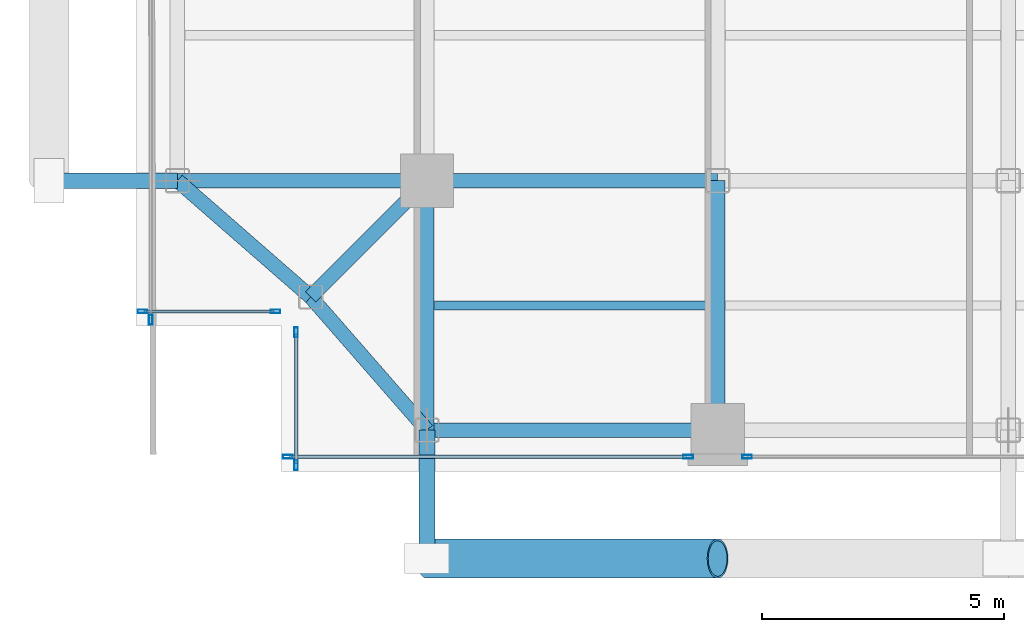
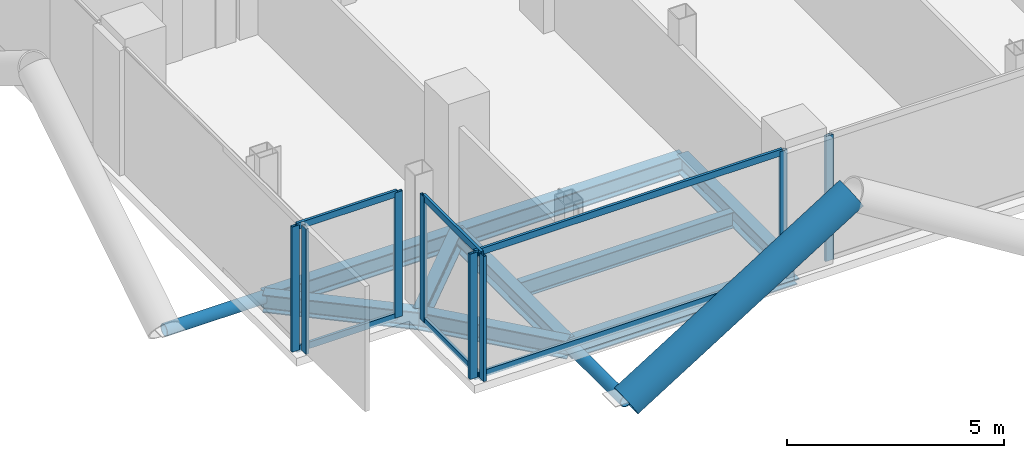
# One storey, part 2 of 28: 17 members, 9 beams, 5 elements without a shape of their own.
"""IFC4 building model written with IfcOpenShell, lengths in metres."""

from ifc_helpers import new_model, si_unit, direction, frame, origin, origin_2d, place, context, subcontext, project, spatial, hollow_rectangle, hollow_circle, i_section, extrude, material, layer, layer_set, material_profile, profile_set, type_object, element, aggregate, save


model = new_model("IFC4")

# Units and contexts
model_context = context("Model", 3, precision=1e-05, world=origin(), true_north=direction((0.0, 1.0)))
body_context = subcontext(model_context, "Body", "Model", "MODEL_VIEW")
ifc_project = project(units=[si_unit("LENGTHUNIT", "METRE"), si_unit("AREAUNIT", "SQUARE_METRE"), si_unit("VOLUMEUNIT", "CUBIC_METRE"), si_unit("PLANEANGLEUNIT", "RADIAN"), si_unit("MASSUNIT", "GRAM", prefix="KILO"), si_unit("THERMODYNAMICTEMPERATUREUNIT", "KELVIN"), si_unit("POWERUNIT", "WATT")], contexts=[model_context])

# Site, building, storey
site_placement = place(None, origin())
site = spatial("IfcSite", under=ifc_project, at=site_placement, CompositionType="ELEMENT")
building_placement = place(site_placement, origin())
building = spatial("IfcBuilding", under=site, at=building_placement, Name="Svarakhadi Broadcast Tower", CompositionType="ELEMENT")
storey_placement = place(building_placement, frame((0.0, 0.0, 103.35009765625)))
storey = spatial("IfcBuildingStorey", under=building, at=storey_placement, Name="L24", CompositionType="ELEMENT", Elevation=103.35009765625)

# Beam
ifc_material_1 = material(Name="Steel S355J2 (IS 2062 E350C)", Category="steel")
ifc_material_profile_1 = material_profile(ifc_material_1, i_section(OverallWidth=0.18994140625, OverallDepth=0.449951171875, WebThickness=0.009521484375, FlangeThickness=0.0146484375, FilletRadius=0.02099609375, at=origin_2d()), Name="NPB 450x190x78")
ifc_profile_set_1 = profile_set([ifc_material_profile_1], Name="Steel S355J2 (IS 2062 E350C)")
beam_type_1 = type_object("IfcBeamType", Name="Beam_NPB450", PredefinedType="BEAM", material=ifc_profile_set_1)
beam_1_placement = place(storey_placement, frame((6.159912109375, 3.425048828125, -0.4501953125), z_axis=(1.0, 0.0, 0.0), x_axis=(0.0, 1.0, 0.0)))
element("IfcBeam", 1, at=beam_1_placement, inside=storey, type_object=beam_type_1, Name="L24 Secondary Composite Beam SB006", PredefinedType="BEAM", context=body_context, shape_type="SweptSolid", body=[
    extrude(i_section(OverallWidth=0.18994140625, OverallDepth=0.449951171875, WebThickness=0.009521484375, FlangeThickness=0.0146484375, FilletRadius=0.02099609375, at=origin_2d()), origin(), (0.0, 0.0, 1.0), 5.68017578125),
])

# Curtain wall, members
ifc_material_2 = material(Name="Anodised Bronze Aluminium AA 6063-T6", Category="aluminium")
ifc_layer = layer(ifc_material_2, 0.199951171875)
ifc_layer_set = layer_set([ifc_layer], Name="Anodised Bronze Aluminium AA 6063-T6")
curtain_wall_type = type_object("IfcCurtainWallType", Name="CW_Sys_03", PredefinedType="NOTDEFINED", material=ifc_layer_set)
curtain_wall_1_placement = place(storey_placement, origin())
curtain_wall_1 = element("IfcCurtainWall", 2, at=curtain_wall_1_placement, inside=storey, type_object=curtain_wall_type, Name="L24 Unitised Facade Curtain Wall 01", PredefinedType="NOTDEFINED")
ifc_material_profile_2 = material_profile(ifc_material_2, hollow_rectangle(XDim=0.074951171875, YDim=0.199951171875, WallThickness=0.005615234375, at=origin_2d()), Name="ALU MULLION 200x75x6")
ifc_profile_set_2 = profile_set([ifc_material_profile_2], Name="Anodised Bronze Aluminium AA 6063-T6")
member_type_1 = type_object("IfcMemberType", Name="CW_Sys_03_Mul", PredefinedType="MULLION", material=ifc_profile_set_2)
member_1_placement = place(storey_placement, frame((2.87255859375, 3.300048828125, 0.0), z_axis=(0.0, 0.0, 1.0), x_axis=(0.0, -1.0, 0.0)))
member_1 = element("IfcMember", 3, at=member_1_placement, type_object=member_type_1, Name="CW-03 mullion 1", PredefinedType="MULLION", context=body_context, shape_type="SweptSolid", body=[
    extrude(hollow_rectangle(XDim=0.074951171875, YDim=0.199951171875, WallThickness=0.005615234375, at=origin_2d()), origin(), (0.0, 0.0, 1.0), 3.52490234375),
])
member_2_placement = place(storey_placement, frame((0.12744140625, 3.300048828125, 0.0), z_axis=(0.0, 0.0, 1.0), x_axis=(0.0, -1.0, 0.0)))
member_2 = element("IfcMember", 4, at=member_2_placement, type_object=member_type_1, Name="CW-03 mullion 2", PredefinedType="MULLION", context=body_context, shape_type="SweptSolid", body=[
    extrude(hollow_rectangle(XDim=0.074951171875, YDim=0.199951171875, WallThickness=0.005615234375, at=origin_2d()), origin(), (0.0, 0.0, 1.0), 3.52490234375),
])

# Curtain wall, member
curtain_wall_2_placement = place(storey_placement, origin())
curtain_wall_2 = element("IfcCurtainWall", 5, at=curtain_wall_2_placement, inside=storey, type_object=curtain_wall_type, Name="L24 West Curtain Wall 02 Bay 1", PredefinedType="NOTDEFINED")
member_3_placement = place(storey_placement, frame((0.300048828125, 3.12744140625, 0.0), z_axis=(0.0, 0.0, 1.0), x_axis=(-1.0, 0.0, 0.0)))
member_3 = element("IfcMember", 6, at=member_3_placement, type_object=member_type_1, Name="CW-03 mullion 1", PredefinedType="MULLION", context=body_context, shape_type="SweptSolid", body=[
    extrude(hollow_rectangle(XDim=0.074951171875, YDim=0.199951171875, WallThickness=0.005615234375, at=origin_2d()), origin(), (0.0, 0.0, 1.0), 3.52490234375),
])
aggregate(curtain_wall_2, [member_3])

curtain_wall_3_placement = place(storey_placement, origin())
curtain_wall_3 = element("IfcCurtainWall", 7, at=curtain_wall_3_placement, inside=storey, type_object=curtain_wall_type, Name="L24 South Curtain Wall 17 Bay 3", PredefinedType="NOTDEFINED")
member_4_placement = place(storey_placement, frame((12.607421875, 0.300048828125, 0.0), z_axis=(0.0, 0.0, 1.0), x_axis=(0.0, -1.0, 0.0)))
member_4 = element("IfcMember", 8, at=member_4_placement, type_object=member_type_1, Name="CW-03 mullion 2", PredefinedType="MULLION", context=body_context, shape_type="SweptSolid", body=[
    extrude(hollow_rectangle(XDim=0.074951171875, YDim=0.199951171875, WallThickness=0.005615234375, at=origin_2d()), origin(), (0.0, 0.0, 1.0), 3.52490234375),
])
aggregate(curtain_wall_3, [member_4])

# Curtain wall, members
curtain_wall_4_placement = place(storey_placement, origin())
curtain_wall_4 = element("IfcCurtainWall", 9, at=curtain_wall_4_placement, inside=storey, type_object=curtain_wall_type, Name="L24 South Curtain Wall 17 Bay 4", PredefinedType="NOTDEFINED")
member_5_placement = place(storey_placement, frame((11.392578125, 0.300048828125, 0.0), z_axis=(0.0, 0.0, 1.0), x_axis=(0.0, -1.0, 0.0)))
member_5 = element("IfcMember", 10, at=member_5_placement, type_object=member_type_1, Name="CW-03 mullion 1", PredefinedType="MULLION", context=body_context, shape_type="SweptSolid", body=[
    extrude(hollow_rectangle(XDim=0.074951171875, YDim=0.199951171875, WallThickness=0.005615234375, at=origin_2d()), origin(), (0.0, 0.0, 1.0), 3.52490234375),
])
member_6_placement = place(storey_placement, frame((3.12744140625, 0.300048828125, 0.0), z_axis=(0.0, 0.0, 1.0), x_axis=(0.0, -1.0, 0.0)))
member_6 = element("IfcMember", 11, at=member_6_placement, type_object=member_type_1, Name="CW-03 mullion 2", PredefinedType="MULLION", context=body_context, shape_type="SweptSolid", body=[
    extrude(hollow_rectangle(XDim=0.074951171875, YDim=0.199951171875, WallThickness=0.005615234375, at=origin_2d()), origin(), (0.0, 0.0, 1.0), 3.52490234375),
])

curtain_wall_5_placement = place(storey_placement, origin())
curtain_wall_5 = element("IfcCurtainWall", 12, at=curtain_wall_5_placement, inside=storey, type_object=curtain_wall_type, Name="L24 Unitised Facade Curtain Wall 18", PredefinedType="NOTDEFINED")
member_7_placement = place(storey_placement, frame((3.300048828125, 0.12744140625, 0.0), z_axis=(0.0, 0.0, 1.0), x_axis=(-1.0, 0.0, 0.0)))
member_7 = element("IfcMember", 13, at=member_7_placement, type_object=member_type_1, Name="CW-03 mullion 1", PredefinedType="MULLION", context=body_context, shape_type="SweptSolid", body=[
    extrude(hollow_rectangle(XDim=0.074951171875, YDim=0.199951171875, WallThickness=0.005615234375, at=origin_2d()), origin(), (0.0, 0.0, 1.0), 3.52490234375),
])
member_8_placement = place(storey_placement, frame((3.300048828125, 2.87255859375, 0.0), z_axis=(0.0, 0.0, 1.0), x_axis=(-1.0, 0.0, 0.0)))
member_8 = element("IfcMember", 14, at=member_8_placement, type_object=member_type_1, Name="CW-03 mullion 2", PredefinedType="MULLION", context=body_context, shape_type="SweptSolid", body=[
    extrude(hollow_rectangle(XDim=0.074951171875, YDim=0.199951171875, WallThickness=0.005615234375, at=origin_2d()), origin(), (0.0, 0.0, 1.0), 3.52490234375),
])

# Member
ifc_material_profile_3 = material_profile(ifc_material_2, hollow_rectangle(XDim=0.070068359375, YDim=0.18505859375, WallThickness=0.0048828125, at=origin_2d()), Name="ALU TRANSOM 185x70x5")
ifc_profile_set_3 = profile_set([ifc_material_profile_3], Name="Anodised Bronze Aluminium AA 6063-T6")
member_type_2 = type_object("IfcMemberType", Name="CW_Sys_03_Trn", PredefinedType="USERDEFINED", material=ifc_profile_set_3)
member_9_placement = place(storey_placement, frame((2.8349609375, 3.300048828125, 0.034912109375), z_axis=(-1.0, 0.0, 0.0), x_axis=(0.0, -1.0, 0.0)))
member_9 = element("IfcMember", 15, at=member_9_placement, type_object=member_type_2, Name="CW-03 transom 1.1", ObjectType="TRANSOM", PredefinedType="USERDEFINED", context=body_context, shape_type="SweptSolid", body=[
    extrude(hollow_rectangle(XDim=0.070068359375, YDim=0.18505859375, WallThickness=0.0048828125, at=origin_2d()), origin(), (0.0, 0.0, 1.0), 2.669921875),
])

member_10_placement = place(storey_placement, frame((2.8349609375, 3.300048828125, 3.489990234375), z_axis=(-1.0, 0.0, 0.0), x_axis=(0.0, -1.0, 0.0)))
member_10 = element("IfcMember", 16, at=member_10_placement, type_object=member_type_2, Name="CW-03 transom 1.2", ObjectType="TRANSOM", PredefinedType="USERDEFINED", context=body_context, shape_type="SweptSolid", body=[
    extrude(hollow_rectangle(XDim=0.070068359375, YDim=0.18505859375, WallThickness=0.0048828125, at=origin_2d()), origin(), (0.0, 0.0, 1.0), 2.669921875),
])

aggregate(curtain_wall_1, [member_1, member_2, member_9, member_10])

member_11_placement = place(storey_placement, frame((11.35498046875, 0.300048828125, 0.034912109375), z_axis=(-1.0, 0.0, 0.0), x_axis=(0.0, -1.0, 0.0)))
member_11 = element("IfcMember", 17, at=member_11_placement, type_object=member_type_2, Name="CW-03 transom 1.1", ObjectType="TRANSOM", PredefinedType="USERDEFINED", context=body_context, shape_type="SweptSolid", body=[
    extrude(hollow_rectangle(XDim=0.070068359375, YDim=0.18505859375, WallThickness=0.0048828125, at=origin_2d()), origin(), (0.0, 0.0, 1.0), 8.18994140625),
])

member_12_placement = place(storey_placement, frame((11.35498046875, 0.300048828125, 3.489990234375), z_axis=(-1.0, 0.0, 0.0), x_axis=(0.0, -1.0, 0.0)))
member_12 = element("IfcMember", 18, at=member_12_placement, type_object=member_type_2, Name="CW-03 transom 1.2", ObjectType="TRANSOM", PredefinedType="USERDEFINED", context=body_context, shape_type="SweptSolid", body=[
    extrude(hollow_rectangle(XDim=0.070068359375, YDim=0.18505859375, WallThickness=0.0048828125, at=origin_2d()), origin(), (0.0, 0.0, 1.0), 8.18994140625),
])

aggregate(curtain_wall_4, [member_5, member_6, member_11, member_12])

member_13_placement = place(storey_placement, frame((3.300048828125, 0.1650390625, 0.034912109375), z_axis=(0.0, 1.0, 0.0), x_axis=(-1.0, 0.0, 0.0)))
member_13 = element("IfcMember", 19, at=member_13_placement, type_object=member_type_2, Name="CW-03 transom 1.1", ObjectType="TRANSOM", PredefinedType="USERDEFINED", context=body_context, shape_type="SweptSolid", body=[
    extrude(hollow_rectangle(XDim=0.070068359375, YDim=0.18505859375, WallThickness=0.0048828125, at=origin_2d()), origin(), (0.0, 0.0, 1.0), 2.669921875),
])

member_14_placement = place(storey_placement, frame((3.300048828125, 0.1650390625, 3.489990234375), z_axis=(0.0, 1.0, 0.0), x_axis=(-1.0, 0.0, 0.0)))
member_14 = element("IfcMember", 20, at=member_14_placement, type_object=member_type_2, Name="CW-03 transom 1.2", ObjectType="TRANSOM", PredefinedType="USERDEFINED", context=body_context, shape_type="SweptSolid", body=[
    extrude(hollow_rectangle(XDim=0.070068359375, YDim=0.18505859375, WallThickness=0.0048828125, at=origin_2d()), origin(), (0.0, 0.0, 1.0), 2.669921875),
])

aggregate(curtain_wall_5, [member_7, member_8, member_13, member_14])

# Members
ifc_material_3 = material(Name="Steel S460ML (IS 2062 E450BR)", Category="steel")
ifc_material_profile_4 = material_profile(ifc_material_3, hollow_circle(Radius=0.406494140625, WallThickness=0.0400390625, at=origin_2d()), Name="CHS 813x40")
ifc_profile_set_4 = profile_set([ifc_material_profile_4], Name="Steel S460ML (IS 2062 E450BR)")
member_type_3 = type_object("IfcMemberType", Name="Exo_Brace_CHS813", PredefinedType="BRACE", material=ifc_profile_set_4)
member_15_placement = place(storey_placement, frame((6.0, -1.800048828125, -0.386962890625), z_axis=(0.847998304005, 0.0, 0.529998940003), x_axis=(0.0, 1.0, 0.0)))
element("IfcMember", 21, at=member_15_placement, inside=storey, type_object=member_type_3, Name="L24 Exposed Bronze Exoskeleton Diagonal S01", PredefinedType="BRACE", context=body_context, shape_type="SweptSolid", body=[
    extrude(hollow_circle(Radius=0.406494140625, WallThickness=0.0400390625, at=origin_2d()), origin(), (0.0, 0.0, 1.0), 7.075439453125),
])
ifc_material_profile_5 = material_profile(ifc_material_3, hollow_circle(Radius=0.161865234375, WallThickness=0.01611328125, at=origin_2d()), Name="CHS 323.9x16")
ifc_profile_set_5 = profile_set([ifc_material_profile_5], Name="Steel S460ML (IS 2062 E450BR)")
member_type_4 = type_object("IfcMemberType", Name="Exo_Radial_Strut_Z2", PredefinedType="STRUT", material=ifc_profile_set_5)
for number, where, z_axis, x_axis, name in (
    (22, (6.0, -1.800048828125, -0.386962890625), (0.0, 1.0, 0.0), (-1.0, 0.0, 0.0), "L24 Exoskeleton Radial Tie Strut S01"),
    (23, (-1.800048828125, 6.0, -0.386962890625), (1.0, 0.0, 0.0), (0.0, 1.0, 0.0), "L24 Exoskeleton Radial Tie Strut W05"),
):
    element("IfcMember", number, at=place(storey_placement, frame(where, z_axis=z_axis, x_axis=x_axis)), inside=storey, type_object=member_type_4, Name=name, PredefinedType="STRUT", context=body_context, shape_type="SweptSolid", body=[
        extrude(hollow_circle(Radius=0.161865234375, WallThickness=0.01611328125, at=origin_2d()), origin(), (0.0, 0.0, 1.0), 2.650146484375),
    ])

# Beams
ifc_material_profile_6 = material_profile(ifc_material_1, i_section(OverallWidth=0.300048828125, OverallDepth=0.5, WebThickness=0.014404296875, FlangeThickness=0.028076171875, FilletRadius=0.027099609375, at=origin_2d()), Name="WPB 500x300x187")
ifc_profile_set_6 = profile_set([ifc_material_profile_6], Name="Steel S355J2 (IS 2062 E350C)")
beam_type_2 = type_object("IfcBeamType", Name="Girder_WPB500", PredefinedType="USERDEFINED", material=ifc_profile_set_6)
beam_2_placement = place(storey_placement, frame((3.60009765625, 3.60009765625, -0.47509765625), z_axis=(0.707106781187, 0.707106781187, 0.0), x_axis=(-0.707106781187, 0.707106781187, 0.0)))
element("IfcBeam", 24, at=beam_2_placement, inside=storey, type_object=beam_type_2, Name="L24 Corner Tie Girder G001", ObjectType="GIRDER", PredefinedType="USERDEFINED", context=body_context, shape_type="SweptSolid", body=[
    extrude(i_section(OverallWidth=0.300048828125, OverallDepth=0.5, WebThickness=0.014404296875, FlangeThickness=0.028076171875, FilletRadius=0.027099609375, at=origin_2d()), origin(), (0.0, 0.0, 1.0), 3.39404296875),
])
for number, where, z_axis, x_axis, name in (
    (25, (3.60009765625, 3.60009765625, -0.47509765625), (-0.753437912176, 0.657519058655, 0.0), (-0.657519058655, -0.753437912176, 0.0), "L24 Corner Tie Girder G002"),
    (26, (3.60009765625, 3.60009765625, -0.47509765625), (0.657519058655, -0.753437912176, 0.0), (0.753437912176, 0.657519058655, 0.0), "L24 Corner Tie Girder G003"),
):
    element("IfcBeam", number, at=place(storey_placement, frame(where, z_axis=z_axis, x_axis=x_axis)), inside=storey, type_object=beam_type_2, Name=name, ObjectType="GIRDER", PredefinedType="USERDEFINED", context=body_context, shape_type="SweptSolid", body=[
        extrude(i_section(OverallWidth=0.300048828125, OverallDepth=0.5, WebThickness=0.014404296875, FlangeThickness=0.028076171875, FilletRadius=0.027099609375, at=origin_2d()), origin(), (0.0, 0.0, 1.0), 3.64990234375),
    ])
beam_3_placement = place(storey_placement, frame((6.0, 0.85009765625, -0.47509765625), z_axis=(1.0, 0.0, 0.0), x_axis=(0.0, 1.0, 0.0)))
element("IfcBeam", 27, at=beam_3_placement, inside=storey, type_object=beam_type_2, Name="L24 Primary E-W Girder G004", ObjectType="GIRDER", PredefinedType="USERDEFINED", context=body_context, shape_type="SweptSolid", body=[
    extrude(i_section(OverallWidth=0.300048828125, OverallDepth=0.5, WebThickness=0.014404296875, FlangeThickness=0.028076171875, FilletRadius=0.027099609375, at=origin_2d()), origin(), (0.0, 0.0, 1.0), 6.0),
])
beam_4_placement = place(storey_placement, frame((0.85009765625, 6.0, -0.47509765625), z_axis=(1.0, 0.0, 0.0), x_axis=(0.0, 1.0, 0.0)))
element("IfcBeam", 28, at=beam_4_placement, inside=storey, type_object=beam_type_2, Name="L24 Primary E-W Girder G010", ObjectType="GIRDER", PredefinedType="USERDEFINED", context=body_context, shape_type="SweptSolid", body=[
    extrude(i_section(OverallWidth=0.300048828125, OverallDepth=0.5, WebThickness=0.014404296875, FlangeThickness=0.028076171875, FilletRadius=0.027099609375, at=origin_2d()), origin(), (0.0, 0.0, 1.0), 5.14990234375),
])
beam_5_placement = place(storey_placement, frame((6.0, 6.0, -0.47509765625), z_axis=(1.0, 0.0, 0.0), x_axis=(0.0, 1.0, 0.0)))
element("IfcBeam", 29, at=beam_5_placement, inside=storey, type_object=beam_type_2, Name="L24 Primary E-W Girder G011", ObjectType="GIRDER", PredefinedType="USERDEFINED", context=body_context, shape_type="SweptSolid", body=[
    extrude(i_section(OverallWidth=0.300048828125, OverallDepth=0.5, WebThickness=0.014404296875, FlangeThickness=0.028076171875, FilletRadius=0.027099609375, at=origin_2d()), origin(), (0.0, 0.0, 1.0), 6.0),
])
for number, where, z_axis, x_axis, name in (
    (30, (6.0, 0.85009765625, -0.47509765625), (0.0, 1.0, 0.0), (-1.0, 0.0, 0.0), "L24 Primary N-S Girder G045"),
    (31, (12.0, 0.85009765625, -0.47509765625), (0.0, 1.0, 0.0), (-1.0, 0.0, 0.0), "L24 Primary N-S Girder G051"),
):
    element("IfcBeam", number, at=place(storey_placement, frame(where, z_axis=z_axis, x_axis=x_axis)), inside=storey, type_object=beam_type_2, Name=name, ObjectType="GIRDER", PredefinedType="USERDEFINED", context=body_context, shape_type="SweptSolid", body=[
        extrude(i_section(OverallWidth=0.300048828125, OverallDepth=0.5, WebThickness=0.014404296875, FlangeThickness=0.028076171875, FilletRadius=0.027099609375, at=origin_2d()), origin(), (0.0, 0.0, 1.0), 5.14990234375),
    ])

save(model, "model.ifc")
